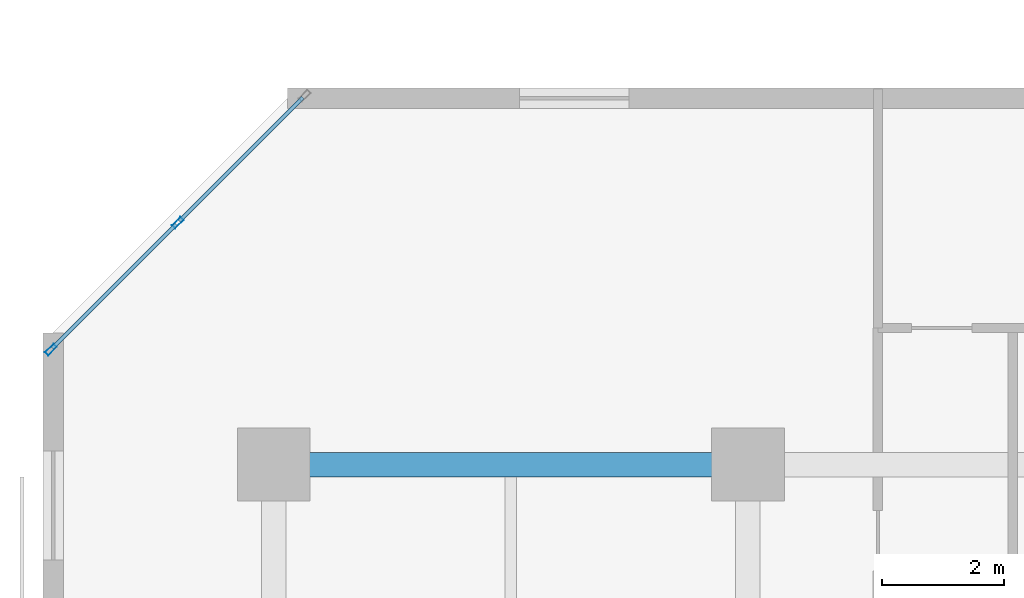
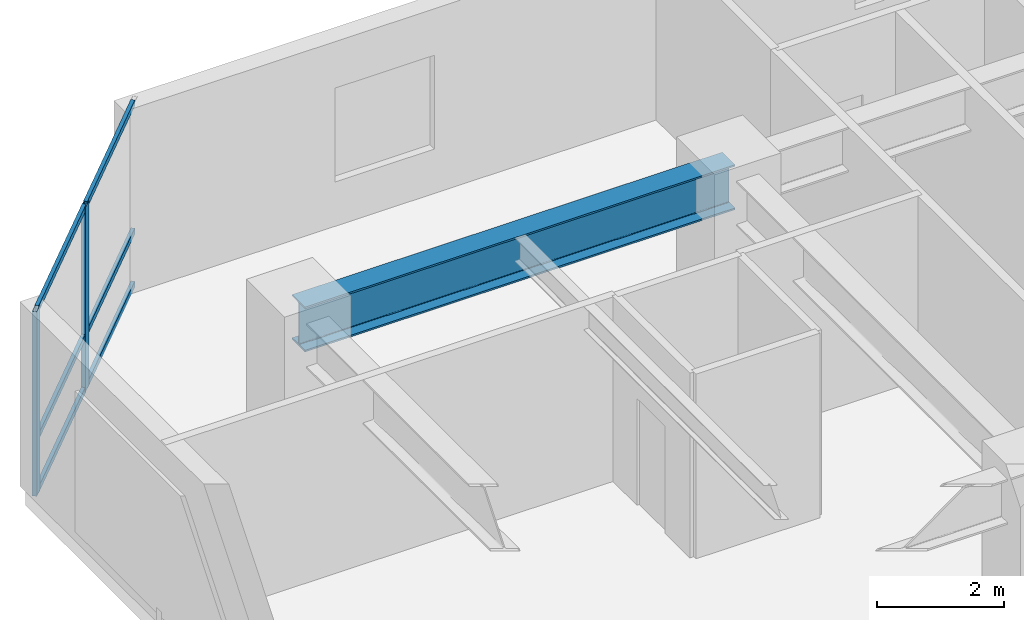
# One storey, part 3 of 12: 8 members, 1 beam, 1 element without a shape of its own.
"""IFC4 building model written with IfcOpenShell, lengths in metres."""

from ifc_helpers import new_model, si_unit, direction, frame, origin, origin_2d, place, context, subcontext, project, spatial, hollow_rectangle, i_section, extrude, material, layer, layer_set, material_profile, profile_set, type_object, element, aggregate, save


model = new_model("IFC4")

# Units and contexts
model_context = context("Model", 3, precision=1e-05, world=origin(), true_north=direction((0.0, 1.0)))
body_context = subcontext(model_context, "Body", "Model", "MODEL_VIEW")
ifc_project = project(units=[si_unit("LENGTHUNIT", "METRE"), si_unit("AREAUNIT", "SQUARE_METRE"), si_unit("VOLUMEUNIT", "CUBIC_METRE"), si_unit("PLANEANGLEUNIT", "RADIAN"), si_unit("MASSUNIT", "GRAM", prefix="KILO")], contexts=[model_context])

# Site, building, storey
site_placement = place(None, origin())
site = spatial("IfcSite", under=ifc_project, at=site_placement, CompositionType="ELEMENT")
building_placement = place(site_placement, origin())
building = spatial("IfcBuilding", under=site, at=building_placement, Name="Kestravale Grand Hotel", CompositionType="ELEMENT")
storey_placement = place(building_placement, frame((0.0, 0.0, 110.800048828125)))
storey = spatial("IfcBuildingStorey", under=building, at=storey_placement, Name="L27", CompositionType="ELEMENT", Elevation=110.800048828125)

# Beam
ifc_material_1 = material(Name="Steel ASTM A992 Grade 50", Category="steel")
ifc_material_profile_1 = material_profile(ifc_material_1, i_section(OverallWidth=0.40087890625, OverallDepth=0.861083984375, WebThickness=0.019775390625, FlangeThickness=0.032470703125, FilletRadius=0.0234375, at=origin_2d()))
ifc_profile_set_1 = profile_set([ifc_material_profile_1], Name="Steel ASTM A992 Grade 50")
beam_type = type_object("IfcBeamType", Name="B-GRD-W33", PredefinedType="BEAM", material=ifc_profile_set_1)
beam_placement = place(storey_placement, frame((7.800048828125, 38.39990234375, 3.109375), z_axis=(1.0, 0.0, 0.0), x_axis=(0.0, 1.0, 0.0)))
element("IfcBeam", 1, at=beam_placement, inside=storey, type_object=beam_type, Name="L27 girder F:2-3", PredefinedType="BEAM", context=body_context, shape_type="SweptSolid", body=[
    extrude(i_section(OverallWidth=0.40087890625, OverallDepth=0.861083984375, WebThickness=0.019775390625, FlangeThickness=0.032470703125, FilletRadius=0.0234375, at=origin_2d()), origin(), (0.0, 0.0, 1.0), 7.800048828125),
])

# Curtain wall, members
ifc_material_2 = material(Name="Thermally broken champagne-bronze aluminium and low-E glazing", Category="aluminium")
ifc_layer = layer(ifc_material_2, 0.199951171875)
ifc_layer_set = layer_set([ifc_layer], Name="CW-Z2")
curtain_wall_type = type_object("IfcCurtainWallType", Name="CW-Z2", PredefinedType="NOTDEFINED", material=ifc_layer_set)
curtain_wall_placement = place(storey_placement, origin())
curtain_wall = element("IfcCurtainWall", 2, at=curtain_wall_placement, inside=storey, type_object=curtain_wall_type, Name="L27 unitised curtain wall 18", PredefinedType="NOTDEFINED")
ifc_material_3 = material(Name="Aluminium 6063-T6 anodised", Category="aluminium")
ifc_material_profile_2 = material_profile(ifc_material_3, hollow_rectangle(XDim=0.074951171875, YDim=0.199951171875, WallThickness=0.00390625, at=origin_2d()))
ifc_profile_set_2 = profile_set([ifc_material_profile_2], Name="Aluminium 6063-T6 anodised")
member_type_1 = type_object("IfcMemberType", Name="CW-MUL-200", PredefinedType="MULLION", material=ifc_profile_set_2)
member_1_placement = place(storey_placement, frame((6.22021484375, 42.3798828125, 0.0), z_axis=(0.0, 0.0, 1.0), x_axis=(0.707106781187, -0.707106781187, 0.0)))
member_1 = element("IfcMember", 3, at=member_1_placement, type_object=member_type_1, Name="CW-Z2 mullion 2", PredefinedType="MULLION", context=body_context, shape_type="SweptSolid", body=[
    extrude(hollow_rectangle(XDim=0.074951171875, YDim=0.199951171875, WallThickness=0.00390625, at=origin_2d()), origin(), (0.0, 0.0, 1.0), 3.5400390625),
])
member_2_placement = place(storey_placement, frame((4.132568359375, 40.292236328125, 0.0), z_axis=(0.0, 0.0, 1.0), x_axis=(0.707106781187, -0.707106781187, 0.0)))
member_2 = element("IfcMember", 4, at=member_2_placement, type_object=member_type_1, Name="CW-Z2 mullion 3", PredefinedType="MULLION", context=body_context, shape_type="SweptSolid", body=[
    extrude(hollow_rectangle(XDim=0.074951171875, YDim=0.199951171875, WallThickness=0.00390625, at=origin_2d()), origin(), (0.0, 0.0, 1.0), 3.5400390625),
])
ifc_material_4 = material(Name="Aluminium 6063-T6 anodised", Category="aluminium")
ifc_material_profile_3 = material_profile(ifc_material_4, hollow_rectangle(XDim=0.06494140625, YDim=0.114990234375, WallThickness=0.003173828125, at=origin_2d()))
ifc_profile_set_3 = profile_set([ifc_material_profile_3], Name="Aluminium 6063-T6 anodised")
member_type_2 = type_object("IfcMemberType", Name="CW-TRN-115", PredefinedType="USERDEFINED", material=ifc_profile_set_3)
member_3_placement = place(storey_placement, frame((8.28125, 44.44091796875, 0.032470703125), z_axis=(-0.707064354356, -0.707149205472, 0.0), x_axis=(0.707149205472, -0.707064354356, 0.0)))
member_3 = element("IfcMember", 5, at=member_3_placement, type_object=member_type_2, Name="CW-Z2 transom 1.1", ObjectType="TRANSOM", PredefinedType="USERDEFINED", context=body_context, shape_type="SweptSolid", body=[
    extrude(hollow_rectangle(XDim=0.06494140625, YDim=0.114990234375, WallThickness=0.003173828125, at=origin_2d()), origin(), (0.0, 0.0, 1.0), 2.877197265625),
])
member_4_placement = place(storey_placement, frame((8.28125, 44.44091796875, 1.050048828125), z_axis=(-0.707064354356, -0.707149205472, 0.0), x_axis=(0.707149205472, -0.707064354356, 0.0)))
member_4 = element("IfcMember", 6, at=member_4_placement, type_object=member_type_2, Name="CW-Z2 transom 1.2", ObjectType="TRANSOM", PredefinedType="USERDEFINED", context=body_context, shape_type="SweptSolid", body=[
    extrude(hollow_rectangle(XDim=0.06494140625, YDim=0.114990234375, WallThickness=0.003173828125, at=origin_2d()), origin(), (0.0, 0.0, 1.0), 2.877197265625),
])
member_5_placement = place(storey_placement, frame((8.28125, 44.44091796875, 3.507568359375), z_axis=(-0.707064354356, -0.707149205472, 0.0), x_axis=(0.707149205472, -0.707064354356, 0.0)))
member_5 = element("IfcMember", 7, at=member_5_placement, type_object=member_type_2, Name="CW-Z2 transom 1.3", ObjectType="TRANSOM", PredefinedType="USERDEFINED", context=body_context, shape_type="SweptSolid", body=[
    extrude(hollow_rectangle(XDim=0.06494140625, YDim=0.114990234375, WallThickness=0.003173828125, at=origin_2d()), origin(), (0.0, 0.0, 1.0), 2.877197265625),
])
member_6_placement = place(storey_placement, frame((6.193603515625, 42.353271484375, 0.032470703125), z_axis=(-0.707106781187, -0.707106781187, 0.0), x_axis=(0.707106781187, -0.707106781187, 0.0)))
member_6 = element("IfcMember", 8, at=member_6_placement, type_object=member_type_2, Name="CW-Z2 transom 2.1", ObjectType="TRANSOM", PredefinedType="USERDEFINED", context=body_context, shape_type="SweptSolid", body=[
    extrude(hollow_rectangle(XDim=0.06494140625, YDim=0.114990234375, WallThickness=0.003173828125, at=origin_2d()), origin(), (0.0, 0.0, 1.0), 2.87744140625),
])
member_7_placement = place(storey_placement, frame((6.193603515625, 42.353271484375, 1.050048828125), z_axis=(-0.707106781187, -0.707106781187, 0.0), x_axis=(0.707106781187, -0.707106781187, 0.0)))
member_7 = element("IfcMember", 9, at=member_7_placement, type_object=member_type_2, Name="CW-Z2 transom 2.2", ObjectType="TRANSOM", PredefinedType="USERDEFINED", context=body_context, shape_type="SweptSolid", body=[
    extrude(hollow_rectangle(XDim=0.06494140625, YDim=0.114990234375, WallThickness=0.003173828125, at=origin_2d()), origin(), (0.0, 0.0, 1.0), 2.87744140625),
])
member_8_placement = place(storey_placement, frame((6.193603515625, 42.353271484375, 3.507568359375), z_axis=(-0.707106781187, -0.707106781187, 0.0), x_axis=(0.707106781187, -0.707106781187, 0.0)))
member_8 = element("IfcMember", 10, at=member_8_placement, type_object=member_type_2, Name="CW-Z2 transom 2.3", ObjectType="TRANSOM", PredefinedType="USERDEFINED", context=body_context, shape_type="SweptSolid", body=[
    extrude(hollow_rectangle(XDim=0.06494140625, YDim=0.114990234375, WallThickness=0.003173828125, at=origin_2d()), origin(), (0.0, 0.0, 1.0), 2.87744140625),
])
aggregate(curtain_wall, [member_1, member_2, member_3, member_4, member_5, member_6, member_7, member_8])

save(model, "model.ifc")
